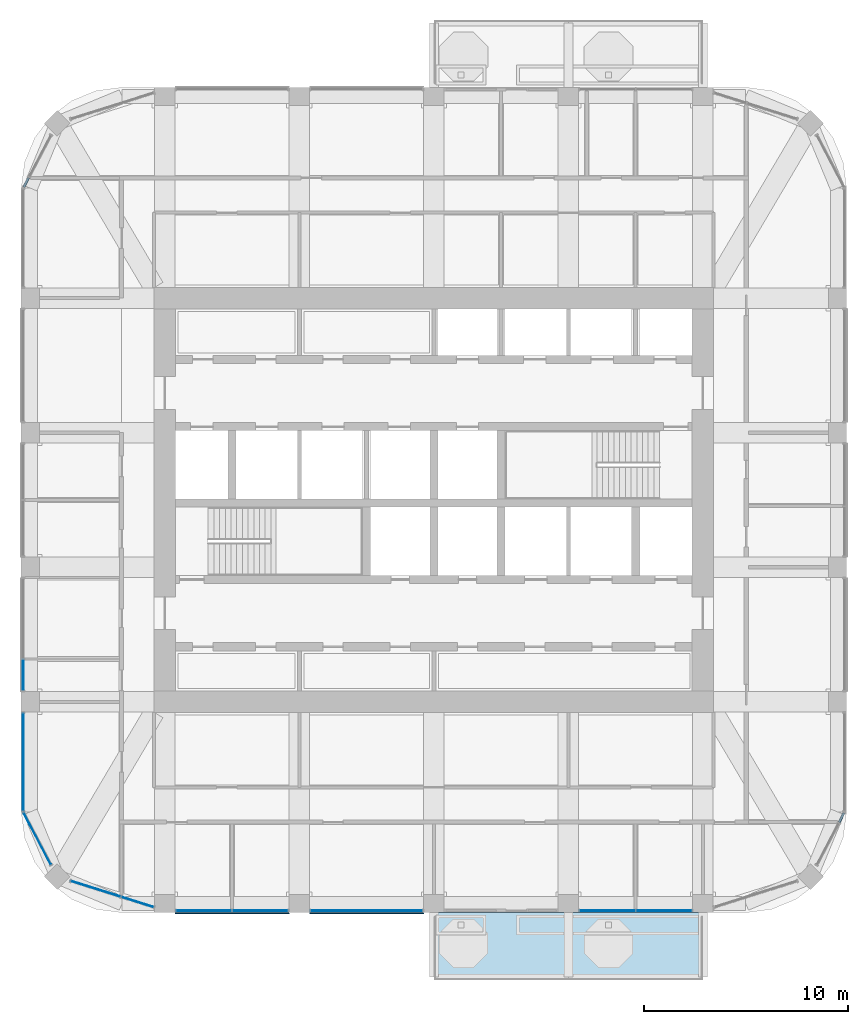
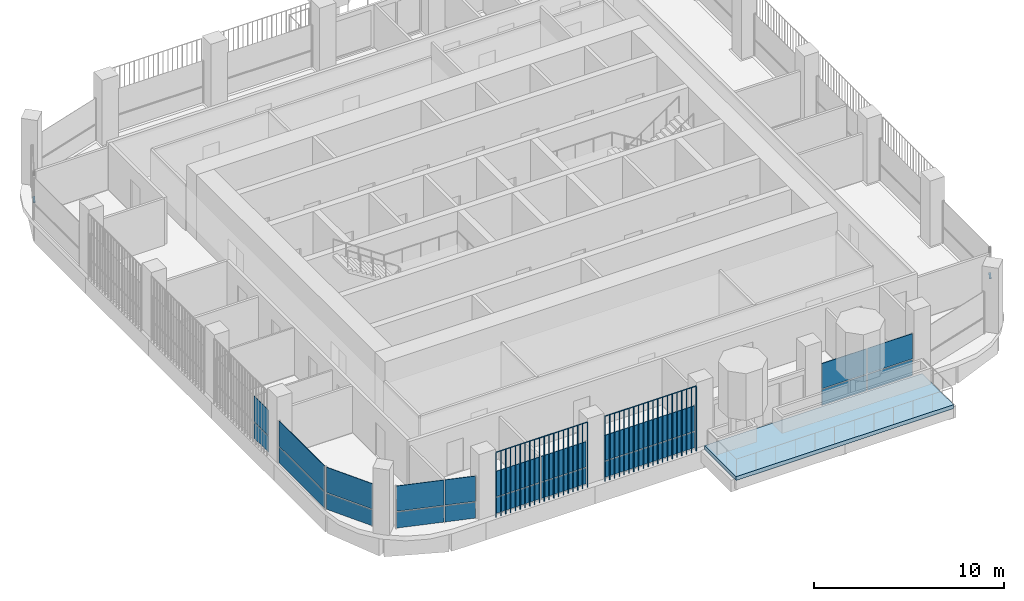
# One storey, part 8 of 21: 22 plates, 2 members, 1 slab, 9 elements without a shape of their own.
"""IFC4 building model written with IfcOpenShell, lengths in metres."""

from ifc_helpers import new_model, si_unit, direction, frame, origin, origin_2d, place, context, subcontext, project, spatial, polyline, rectangle, outline, extrude, material, layer, layer_set, material_profile, profile_set, type_object, element, aggregate, save


model = new_model("IFC4")

# Units and contexts
model_context = context("Model", 3, precision=1e-05, world=origin(), true_north=direction((0.0, 1.0)))
body_context = subcontext(model_context, "Body", "Model", "MODEL_VIEW")
ifc_project = project(units=[si_unit("LENGTHUNIT", "METRE"), si_unit("AREAUNIT", "SQUARE_METRE"), si_unit("VOLUMEUNIT", "CUBIC_METRE"), si_unit("PLANEANGLEUNIT", "RADIAN"), si_unit("MASSUNIT", "GRAM", prefix="KILO")], contexts=[model_context])

# Site, building, storey
site_placement = place(None, origin())
site = spatial("IfcSite", under=ifc_project, at=site_placement, CompositionType="ELEMENT")
building_placement = place(site_placement, origin())
building = spatial("IfcBuilding", under=site, at=building_placement, Name="Cobogo Forest Laboratory Tower", CompositionType="ELEMENT")
storey_placement = place(building_placement, frame((0.0, 0.0, 283.800048828125)))
storey = spatial("IfcBuildingStorey", under=building, at=storey_placement, Name="L65", CompositionType="ELEMENT", Elevation=283.800048828125)

# Curtain wall, member
ifc_material_1 = material(Name="Aluminium curtain wall", Category="aluminium")
curtain_wall_type = type_object("IfcCurtainWallType", Name="CW-2 unitised curtain wall, solar control glazing, laboratory floors zones C and D", PredefinedType="USERDEFINED", material=ifc_material_1)
curtain_wall_1_placement = place(storey_placement, origin())
curtain_wall_1 = element("IfcCurtainWall", 1, at=curtain_wall_1_placement, inside=storey, type_object=curtain_wall_type, Name="Curtain wall 06 L65", ObjectType="UNITISED CURTAIN WALL", PredefinedType="USERDEFINED")
ifc_material_2 = material(Name="Aluminium transom", Category="aluminium")
ifc_material_profile = material_profile(ifc_material_2, rectangle(XDim=0.1201171875, YDim=0.06005859375, at=origin_2d()), Name="AL 60x120")
ifc_profile_set = profile_set([ifc_material_profile], Name="Aluminium transom")
member_type = type_object("IfcMemberType", Name="TR-1 aluminium transom 60x120", PredefinedType="USERDEFINED", material=ifc_profile_set)
member_1_placement = place(storey_placement, frame((46.282470703125, 7.289306640625, 1.050048828125), z_axis=(0.46414828098, 0.885757513806, 0.0), x_axis=(-0.885757513806, 0.46414828098, 0.0)))
member_1 = element("IfcMember", 2, at=member_1_placement, type_object=member_type, Name="CW-2 transom 2.1", ObjectType="TRANSOM", PredefinedType="USERDEFINED", context=body_context, shape_type="SweptSolid", body=[
    extrude(rectangle(XDim=0.1201171875, YDim=0.06005859375, at=origin_2d()), origin(), (0.0, 0.0, 1.0), 0.5166015625),
])
aggregate(curtain_wall_1, [member_1])

curtain_wall_2_placement = place(storey_placement, origin())
curtain_wall_2 = element("IfcCurtainWall", 3, at=curtain_wall_2_placement, inside=storey, type_object=curtain_wall_type, Name="Curtain wall 19 L65", ObjectType="UNITISED CURTAIN WALL", PredefinedType="USERDEFINED")
member_2_placement = place(storey_placement, frame((6.517578125, 38.91064453125, 1.050048828125), z_axis=(-0.46414828098, -0.885757513806, 0.0), x_axis=(0.885757513806, -0.46414828098, 0.0)))
member_2 = element("IfcMember", 4, at=member_2_placement, type_object=member_type, Name="CW-2 transom 2.1", ObjectType="TRANSOM", PredefinedType="USERDEFINED", context=body_context, shape_type="SweptSolid", body=[
    extrude(rectangle(XDim=0.1201171875, YDim=0.06005859375, at=origin_2d()), origin(), (0.0, 0.0, 1.0), 0.5166015625),
])
aggregate(curtain_wall_2, [member_2])

# Slab
ifc_material_3 = material(Name="Concrete HA-40 (C40/50)", Category="concrete")
ifc_layer_1 = layer(ifc_material_3, 0.25)
ifc_layer_set_1 = layer_set([ifc_layer_1], Name="Balcony slab 250")
slab_type = type_object("IfcSlabType", Name="Balcony slab 250", PredefinedType="FLOOR", material=ifc_layer_set_1)
slab_placement = place(storey_placement, frame((0.0, 0.0, -0.25)))
element("IfcSlab", 5, at=slab_placement, inside=storey, type_object=slab_type, Name="Balcony BAL-S1 L65", PredefinedType="FLOOR", context=body_context, shape_type="SweptSolid", body=[
    extrude(outline(polyline([(26.39990234375, -0.449951171875), (39.60009765625, -0.449951171875), (39.60009765625, 2.85009765625), (26.39990234375, 2.85009765625), (26.39990234375, -0.449951171875)])), origin(), (0.0, 0.0, 1.0), 0.25),
])

# Curtain wall, plates
curtain_wall_3_placement = place(storey_placement, origin())
curtain_wall_3 = element("IfcCurtainWall", 6, at=curtain_wall_3_placement, inside=storey, type_object=curtain_wall_type, Name="Curtain wall 01 L65", ObjectType="UNITISED CURTAIN WALL", PredefinedType="USERDEFINED")
ifc_material_4 = material(Name="Solar control insulated glass", Category="glass")
ifc_layer_2 = layer(ifc_material_4, 0.031982421875)
ifc_layer_set_2 = layer_set([ifc_layer_2], Name="GP-2 solar control glass unit 32")
plate_type_1 = type_object("IfcPlateType", Name="GP-2 solar control glass unit 32", PredefinedType="CURTAIN_PANEL", material=ifc_layer_set_2)
plate_1_placement = place(storey_placement, frame((15.114990234375, 2.949951171875, 0.0), z_axis=(0.0, 0.0, 1.0), x_axis=(1.0, 0.0, 0.0)))
plate_1 = element("IfcPlate", 7, at=plate_1_placement, type_object=plate_type_1, Name="CW-2 panel 1.1", PredefinedType="CURTAIN_PANEL", context=body_context, shape_type="SweptSolid", body=[
    extrude(rectangle(XDim=2.7099609375, YDim=0.031982421875, at=origin_2d()), origin(), (0.0, 0.0, 1.0), 1.02001953125),
])
plate_2_placement = place(storey_placement, frame((15.114990234375, 2.949951171875, 1.079833984375), z_axis=(0.0, 0.0, 1.0), x_axis=(1.0, 0.0, 0.0)))
plate_2 = element("IfcPlate", 8, at=plate_2_placement, type_object=plate_type_1, Name="CW-2 panel 1.2", PredefinedType="CURTAIN_PANEL", context=body_context, shape_type="SweptSolid", body=[
    extrude(rectangle(XDim=2.7099609375, YDim=0.031982421875, at=origin_2d()), origin(), (0.0, 0.0, 1.0), 1.6201171875),
])
plate_3_placement = place(storey_placement, frame((17.885009765625, 2.949951171875, 0.0), z_axis=(0.0, 0.0, 1.0), x_axis=(1.0, 0.0, 0.0)))
plate_3 = element("IfcPlate", 9, at=plate_3_placement, type_object=plate_type_1, Name="CW-2 panel 2.1", PredefinedType="CURTAIN_PANEL", context=body_context, shape_type="SweptSolid", body=[
    extrude(rectangle(XDim=2.7099609375, YDim=0.031982421875, at=origin_2d()), origin(), (0.0, 0.0, 1.0), 1.02001953125),
])
plate_4_placement = place(storey_placement, frame((17.885009765625, 2.949951171875, 1.079833984375), z_axis=(0.0, 0.0, 1.0), x_axis=(1.0, 0.0, 0.0)))
plate_4 = element("IfcPlate", 10, at=plate_4_placement, type_object=plate_type_1, Name="CW-2 panel 2.2", PredefinedType="CURTAIN_PANEL", context=body_context, shape_type="SweptSolid", body=[
    extrude(rectangle(XDim=2.7099609375, YDim=0.031982421875, at=origin_2d()), origin(), (0.0, 0.0, 1.0), 1.6201171875),
])
aggregate(curtain_wall_3, [plate_1, plate_2, plate_3, plate_4])

curtain_wall_4_placement = place(storey_placement, origin())
curtain_wall_4 = element("IfcCurtainWall", 11, at=curtain_wall_4_placement, inside=storey, type_object=curtain_wall_type, Name="Curtain wall 02 L65", ObjectType="UNITISED CURTAIN WALL", PredefinedType="USERDEFINED")
plate_5_placement = place(storey_placement, frame((23.10009765625, 2.949951171875, 0.0), z_axis=(0.0, 0.0, 1.0), x_axis=(1.0, 0.0, 0.0)))
plate_5 = element("IfcPlate", 12, at=plate_5_placement, type_object=plate_type_1, Name="CW-2 panel 1.1", PredefinedType="CURTAIN_PANEL", context=body_context, shape_type="SweptSolid", body=[
    extrude(rectangle(XDim=5.47998046875, YDim=0.031982421875, at=origin_2d()), origin(), (0.0, 0.0, 1.0), 1.02001953125),
])
plate_6_placement = place(storey_placement, frame((23.10009765625, 2.949951171875, 1.079833984375), z_axis=(0.0, 0.0, 1.0), x_axis=(1.0, 0.0, 0.0)))
plate_6 = element("IfcPlate", 13, at=plate_6_placement, type_object=plate_type_1, Name="CW-2 panel 1.2", PredefinedType="CURTAIN_PANEL", context=body_context, shape_type="SweptSolid", body=[
    extrude(rectangle(XDim=5.47998046875, YDim=0.031982421875, at=origin_2d()), origin(), (0.0, 0.0, 1.0), 1.6201171875),
])
aggregate(curtain_wall_4, [plate_5, plate_6])

curtain_wall_5_placement = place(storey_placement, origin())
curtain_wall_5 = element("IfcCurtainWall", 14, at=curtain_wall_5_placement, inside=storey, type_object=curtain_wall_type, Name="Curtain wall 04 L65", ObjectType="UNITISED CURTAIN WALL", PredefinedType="USERDEFINED")
plate_7_placement = place(storey_placement, frame((34.9150390625, 2.949951171875, 0.0), z_axis=(0.0, 0.0, 1.0), x_axis=(1.0, 0.0, 0.0)))
plate_7 = element("IfcPlate", 15, at=plate_7_placement, type_object=plate_type_1, Name="CW-2 panel 1.1", PredefinedType="CURTAIN_PANEL", context=body_context, shape_type="SweptSolid", body=[
    extrude(rectangle(XDim=2.7099609375, YDim=0.031982421875, at=origin_2d()), origin(), (0.0, 0.0, 1.0), 1.02001953125),
])
plate_8_placement = place(storey_placement, frame((34.9150390625, 2.949951171875, 1.079833984375), z_axis=(0.0, 0.0, 1.0), x_axis=(1.0, 0.0, 0.0)))
plate_8 = element("IfcPlate", 16, at=plate_8_placement, type_object=plate_type_1, Name="CW-2 panel 1.2", PredefinedType="CURTAIN_PANEL", context=body_context, shape_type="SweptSolid", body=[
    extrude(rectangle(XDim=2.7099609375, YDim=0.031982421875, at=origin_2d()), origin(), (0.0, 0.0, 1.0), 1.6201171875),
])
plate_9_placement = place(storey_placement, frame((37.68505859375, 2.949951171875, 0.0), z_axis=(0.0, 0.0, 1.0), x_axis=(1.0, 0.0, 0.0)))
plate_9 = element("IfcPlate", 17, at=plate_9_placement, type_object=plate_type_1, Name="CW-2 panel 2.1", PredefinedType="CURTAIN_PANEL", context=body_context, shape_type="SweptSolid", body=[
    extrude(rectangle(XDim=2.7099609375, YDim=0.031982421875, at=origin_2d()), origin(), (0.0, 0.0, 1.0), 1.02001953125),
])
plate_10_placement = place(storey_placement, frame((37.68505859375, 2.949951171875, 1.079833984375), z_axis=(0.0, 0.0, 1.0), x_axis=(1.0, 0.0, 0.0)))
plate_10 = element("IfcPlate", 18, at=plate_10_placement, type_object=plate_type_1, Name="CW-2 panel 2.2", PredefinedType="CURTAIN_PANEL", context=body_context, shape_type="SweptSolid", body=[
    extrude(rectangle(XDim=2.7099609375, YDim=0.031982421875, at=origin_2d()), origin(), (0.0, 0.0, 1.0), 1.6201171875),
])
aggregate(curtain_wall_5, [plate_7, plate_8, plate_9, plate_10])

curtain_wall_6_placement = place(storey_placement, origin())
curtain_wall_6 = element("IfcCurtainWall", 19, at=curtain_wall_6_placement, inside=storey, type_object=curtain_wall_type, Name="Curtain wall 23 L65", ObjectType="UNITISED CURTAIN WALL", PredefinedType="USERDEFINED")
plate_11_placement = place(storey_placement, frame((6.25, 14.514892578125, 0.0), z_axis=(0.0, 0.0, 1.0), x_axis=(0.0, -1.0, 0.0)))
plate_11 = element("IfcPlate", 20, at=plate_11_placement, type_object=plate_type_1, Name="CW-2 panel 2.1", PredefinedType="CURTAIN_PANEL", context=body_context, shape_type="SweptSolid", body=[
    extrude(rectangle(XDim=1.510009765625, YDim=0.031982421875, at=origin_2d()), origin(), (0.0, 0.0, 1.0), 1.02001953125),
])
plate_12_placement = place(storey_placement, frame((6.25, 14.514892578125, 1.079833984375), z_axis=(0.0, 0.0, 1.0), x_axis=(0.0, -1.0, 0.0)))
plate_12 = element("IfcPlate", 21, at=plate_12_placement, type_object=plate_type_1, Name="CW-2 panel 2.2", PredefinedType="CURTAIN_PANEL", context=body_context, shape_type="SweptSolid", body=[
    extrude(rectangle(XDim=1.510009765625, YDim=0.031982421875, at=origin_2d()), origin(), (0.0, 0.0, 1.0), 1.6201171875),
])
aggregate(curtain_wall_6, [plate_11, plate_12])

curtain_wall_7_placement = place(storey_placement, origin())
curtain_wall_7 = element("IfcCurtainWall", 22, at=curtain_wall_7_placement, inside=storey, type_object=curtain_wall_type, Name="Curtain wall 24 L65", ObjectType="UNITISED CURTAIN WALL", PredefinedType="USERDEFINED")
plate_13_placement = place(storey_placement, frame((6.25, 10.25, 0.0), z_axis=(0.0, 0.0, 1.0), x_axis=(0.0, -1.0, 0.0)))
plate_13 = element("IfcPlate", 23, at=plate_13_placement, type_object=plate_type_1, Name="CW-2 panel 1.1", PredefinedType="CURTAIN_PANEL", context=body_context, shape_type="SweptSolid", body=[
    extrude(rectangle(XDim=4.780029296875, YDim=0.031982421875, at=origin_2d()), origin(), (0.0, 0.0, 1.0), 1.02001953125),
])
plate_14_placement = place(storey_placement, frame((6.25, 10.25, 1.079833984375), z_axis=(0.0, 0.0, 1.0), x_axis=(0.0, -1.0, 0.0)))
plate_14 = element("IfcPlate", 24, at=plate_14_placement, type_object=plate_type_1, Name="CW-2 panel 1.2", PredefinedType="CURTAIN_PANEL", context=body_context, shape_type="SweptSolid", body=[
    extrude(rectangle(XDim=4.780029296875, YDim=0.031982421875, at=origin_2d()), origin(), (0.0, 0.0, 1.0), 1.6201171875),
])
aggregate(curtain_wall_7, [plate_13, plate_14])

curtain_wall_8_placement = place(storey_placement, origin())
curtain_wall_8 = element("IfcCurtainWall", 25, at=curtain_wall_8_placement, inside=storey, type_object=curtain_wall_type, Name="Curtain wall 25 L65", ObjectType="UNITISED CURTAIN WALL", PredefinedType="USERDEFINED")
plate_15_placement = place(storey_placement, frame((6.94287109375, 6.47802734375, 0.0), z_axis=(0.0, 0.0, 1.0), x_axis=(0.464283778337, -0.885686498245, 0.0)))
plate_15 = element("IfcPlate", 26, at=plate_15_placement, type_object=plate_type_1, Name="CW-2 panel 1.1", PredefinedType="CURTAIN_PANEL", context=body_context, shape_type="SweptSolid", body=[
    extrude(rectangle(XDim=2.864990234375, YDim=0.031982421875, at=origin_2d()), origin(), (0.0, 0.0, 1.0), 1.02001953125),
])
plate_16_placement = place(storey_placement, frame((6.94287109375, 6.47802734375, 1.079833984375), z_axis=(0.0, 0.0, 1.0), x_axis=(0.464283778337, -0.885686498245, 0.0)))
plate_16 = element("IfcPlate", 27, at=plate_16_placement, type_object=plate_type_1, Name="CW-2 panel 1.2", PredefinedType="CURTAIN_PANEL", context=body_context, shape_type="SweptSolid", body=[
    extrude(rectangle(XDim=2.864990234375, YDim=0.031982421875, at=origin_2d()), origin(), (0.0, 0.0, 1.0), 1.6201171875),
])
aggregate(curtain_wall_8, [plate_15, plate_16])

curtain_wall_9_placement = place(storey_placement, origin())
curtain_wall_9 = element("IfcCurtainWall", 28, at=curtain_wall_9_placement, inside=storey, type_object=curtain_wall_type, Name="Curtain wall 26 L65", ObjectType="UNITISED CURTAIN WALL", PredefinedType="USERDEFINED")
plate_17_placement = place(storey_placement, frame((9.810546875, 4.0205078125, 0.0), z_axis=(0.0, 0.0, 1.0), x_axis=(0.953581379409, -0.301135439371, 0.0)))
plate_17 = element("IfcPlate", 29, at=plate_17_placement, type_object=plate_type_1, Name="CW-2 panel 1.1", PredefinedType="CURTAIN_PANEL", context=body_context, shape_type="SweptSolid", body=[
    extrude(rectangle(XDim=2.541748046875, YDim=0.031982421875, at=origin_2d()), origin(), (0.0, 0.0, 1.0), 1.02001953125),
])
plate_18_placement = place(storey_placement, frame((9.810546875, 4.0205078125, 1.079833984375), z_axis=(0.0, 0.0, 1.0), x_axis=(0.953581379409, -0.301135439371, 0.0)))
plate_18 = element("IfcPlate", 30, at=plate_18_placement, type_object=plate_type_1, Name="CW-2 panel 1.2", PredefinedType="CURTAIN_PANEL", context=body_context, shape_type="SweptSolid", body=[
    extrude(rectangle(XDim=2.541748046875, YDim=0.031982421875, at=origin_2d()), origin(), (0.0, 0.0, 1.0), 1.6201171875),
])
plate_19_placement = place(storey_placement, frame((11.861083984375, 3.372802734375, 0.0), z_axis=(0.0, 0.0, 1.0), x_axis=(0.953581379409, -0.301135439371, 0.0)))
plate_19 = element("IfcPlate", 31, at=plate_19_placement, type_object=plate_type_1, Name="CW-2 panel 2.1", PredefinedType="CURTAIN_PANEL", context=body_context, shape_type="SweptSolid", body=[
    extrude(rectangle(XDim=1.639404296875, YDim=0.031982421875, at=origin_2d()), origin(), (0.0, 0.0, 1.0), 1.02001953125),
])
plate_20_placement = place(storey_placement, frame((11.861083984375, 3.372802734375, 1.079833984375), z_axis=(0.0, 0.0, 1.0), x_axis=(0.953581379409, -0.301135439371, 0.0)))
plate_20 = element("IfcPlate", 32, at=plate_20_placement, type_object=plate_type_1, Name="CW-2 panel 2.2", PredefinedType="CURTAIN_PANEL", context=body_context, shape_type="SweptSolid", body=[
    extrude(rectangle(XDim=1.639404296875, YDim=0.031982421875, at=origin_2d()), origin(), (0.0, 0.0, 1.0), 1.6201171875),
])
aggregate(curtain_wall_9, [plate_17, plate_18, plate_19, plate_20])

# Plates
ifc_material_5 = material(Name="Terracotta", Category="masonry")
plate_type_2 = type_object("IfcPlateType", Name="TB1 terracotta baguette screen", PredefinedType="USERDEFINED", material=ifc_material_5)
plate_21_placement = place(storey_placement, frame((13.731201171875, 2.822021484375, -0.150146484375)))
element("IfcPlate", 33, at=plate_21_placement, inside=storey, type_object=plate_type_2, Name="Baguette screen S1 L65", ObjectType="BAGUETTE SCREEN", PredefinedType="USERDEFINED", context=body_context, shape_type="SweptSolid", body=[
    extrude(outline(polyline([(0.02880859375, 0.011962890625), (0.011962890625, 0.02880859375), (-0.011962890625, 0.02880859375), (-0.02880859375, 0.011962890625), (-0.02880859375, -0.011962890625), (-0.011962890625, -0.02880859375), (0.011962890625, -0.02880859375), (0.02880859375, -0.011962890625), (0.02880859375, 0.011962890625)])), frame((0.0, 0.0, 4.168701171875), z_axis=(1.0, 0.0, 0.0), x_axis=(0.0, 1.0, 0.0)), (0.0, 0.0, 1.0), 5.53759765625),
    extrude(outline(polyline([(0.02880859375, 0.011962890625), (0.011962890625, 0.02880859375), (-0.011962890625, 0.02880859375), (-0.02880859375, 0.011962890625), (-0.02880859375, -0.011962890625), (-0.011962890625, -0.02880859375), (0.011962890625, -0.02880859375), (0.02880859375, -0.011962890625), (0.02880859375, 0.011962890625)])), origin(), (0.0, 0.0, 1.0), 4.137451171875),
    extrude(outline(polyline([(0.02880859375, 0.011962890625), (0.011962890625, 0.02880859375), (-0.011962890625, 0.02880859375), (-0.02880859375, 0.011962890625), (-0.02880859375, -0.011962890625), (-0.011962890625, -0.02880859375), (0.011962890625, -0.02880859375), (0.02880859375, -0.011962890625), (0.02880859375, 0.011962890625)])), frame((0.29150390625, 0.0, 0.0)), (0.0, 0.0, 1.0), 4.137451171875),
    extrude(outline(polyline([(0.02880859375, 0.011962890625), (0.011962890625, 0.02880859375), (-0.011962890625, 0.02880859375), (-0.02880859375, 0.011962890625), (-0.02880859375, -0.011962890625), (-0.011962890625, -0.02880859375), (0.011962890625, -0.02880859375), (0.02880859375, -0.011962890625), (0.02880859375, 0.011962890625)])), frame((0.5830078125, 0.0, 0.0)), (0.0, 0.0, 1.0), 4.137451171875),
    extrude(outline(polyline([(0.02880859375, 0.011962890625), (0.011962890625, 0.02880859375), (-0.011962890625, 0.02880859375), (-0.02880859375, 0.011962890625), (-0.02880859375, -0.011962890625), (-0.011962890625, -0.02880859375), (0.011962890625, -0.02880859375), (0.02880859375, -0.011962890625), (0.02880859375, 0.011962890625)])), frame((0.874267578125, 0.0, 0.0)), (0.0, 0.0, 1.0), 4.137451171875),
    extrude(outline(polyline([(0.02880859375, 0.011962890625), (0.011962890625, 0.02880859375), (-0.011962890625, 0.02880859375), (-0.02880859375, 0.011962890625), (-0.02880859375, -0.011962890625), (-0.011962890625, -0.02880859375), (0.011962890625, -0.02880859375), (0.02880859375, -0.011962890625), (0.02880859375, 0.011962890625)])), frame((1.165771484375, 0.0, 0.0)), (0.0, 0.0, 1.0), 4.137451171875),
    extrude(outline(polyline([(0.02880859375, 0.011962890625), (0.011962890625, 0.02880859375), (-0.011962890625, 0.02880859375), (-0.02880859375, 0.011962890625), (-0.02880859375, -0.011962890625), (-0.011962890625, -0.02880859375), (0.011962890625, -0.02880859375), (0.02880859375, -0.011962890625), (0.02880859375, 0.011962890625)])), frame((1.457275390625, 0.0, 0.0)), (0.0, 0.0, 1.0), 4.137451171875),
    extrude(outline(polyline([(0.02880859375, 0.011962890625), (0.011962890625, 0.02880859375), (-0.011962890625, 0.02880859375), (-0.02880859375, 0.011962890625), (-0.02880859375, -0.011962890625), (-0.011962890625, -0.02880859375), (0.011962890625, -0.02880859375), (0.02880859375, -0.011962890625), (0.02880859375, 0.011962890625)])), frame((1.748779296875, 0.0, 0.0)), (0.0, 0.0, 1.0), 4.137451171875),
    extrude(outline(polyline([(0.02880859375, 0.011962890625), (0.011962890625, 0.02880859375), (-0.011962890625, 0.02880859375), (-0.02880859375, 0.011962890625), (-0.02880859375, -0.011962890625), (-0.011962890625, -0.02880859375), (0.011962890625, -0.02880859375), (0.02880859375, -0.011962890625), (0.02880859375, 0.011962890625)])), frame((2.040283203125, 0.0, 0.0)), (0.0, 0.0, 1.0), 4.137451171875),
    extrude(outline(polyline([(0.02880859375, 0.011962890625), (0.011962890625, 0.02880859375), (-0.011962890625, 0.02880859375), (-0.02880859375, 0.011962890625), (-0.02880859375, -0.011962890625), (-0.011962890625, -0.02880859375), (0.011962890625, -0.02880859375), (0.02880859375, -0.011962890625), (0.02880859375, 0.011962890625)])), frame((2.33154296875, 0.0, 0.0)), (0.0, 0.0, 1.0), 4.137451171875),
    extrude(outline(polyline([(0.02880859375, 0.011962890625), (0.011962890625, 0.02880859375), (-0.011962890625, 0.02880859375), (-0.02880859375, 0.011962890625), (-0.02880859375, -0.011962890625), (-0.011962890625, -0.02880859375), (0.011962890625, -0.02880859375), (0.02880859375, -0.011962890625), (0.02880859375, 0.011962890625)])), frame((2.623046875, 0.0, 0.0)), (0.0, 0.0, 1.0), 4.137451171875),
    extrude(outline(polyline([(0.02880859375, 0.011962890625), (0.011962890625, 0.02880859375), (-0.011962890625, 0.02880859375), (-0.02880859375, 0.011962890625), (-0.02880859375, -0.011962890625), (-0.011962890625, -0.02880859375), (0.011962890625, -0.02880859375), (0.02880859375, -0.011962890625), (0.02880859375, 0.011962890625)])), frame((2.91455078125, 0.0, 0.0)), (0.0, 0.0, 1.0), 4.137451171875),
    extrude(outline(polyline([(0.02880859375, 0.011962890625), (0.011962890625, 0.02880859375), (-0.011962890625, 0.02880859375), (-0.02880859375, 0.011962890625), (-0.02880859375, -0.011962890625), (-0.011962890625, -0.02880859375), (0.011962890625, -0.02880859375), (0.02880859375, -0.011962890625), (0.02880859375, 0.011962890625)])), frame((3.2060546875, 0.0, 0.0)), (0.0, 0.0, 1.0), 4.137451171875),
    extrude(outline(polyline([(0.02880859375, 0.011962890625), (0.011962890625, 0.02880859375), (-0.011962890625, 0.02880859375), (-0.02880859375, 0.011962890625), (-0.02880859375, -0.011962890625), (-0.011962890625, -0.02880859375), (0.011962890625, -0.02880859375), (0.02880859375, -0.011962890625), (0.02880859375, 0.011962890625)])), frame((3.497314453125, 0.0, 0.0)), (0.0, 0.0, 1.0), 4.137451171875),
    extrude(outline(polyline([(0.02880859375, 0.011962890625), (0.011962890625, 0.02880859375), (-0.011962890625, 0.02880859375), (-0.02880859375, 0.011962890625), (-0.02880859375, -0.011962890625), (-0.011962890625, -0.02880859375), (0.011962890625, -0.02880859375), (0.02880859375, -0.011962890625), (0.02880859375, 0.011962890625)])), frame((3.788818359375, 0.0, 0.0)), (0.0, 0.0, 1.0), 4.137451171875),
    extrude(outline(polyline([(0.02880859375, 0.011962890625), (0.011962890625, 0.02880859375), (-0.011962890625, 0.02880859375), (-0.02880859375, 0.011962890625), (-0.02880859375, -0.011962890625), (-0.011962890625, -0.02880859375), (0.011962890625, -0.02880859375), (0.02880859375, -0.011962890625), (0.02880859375, 0.011962890625)])), frame((4.080322265625, 0.0, 0.0)), (0.0, 0.0, 1.0), 4.137451171875),
    extrude(outline(polyline([(0.02880859375, 0.011962890625), (0.011962890625, 0.02880859375), (-0.011962890625, 0.02880859375), (-0.02880859375, 0.011962890625), (-0.02880859375, -0.011962890625), (-0.011962890625, -0.02880859375), (0.011962890625, -0.02880859375), (0.02880859375, -0.011962890625), (0.02880859375, 0.011962890625)])), frame((4.371826171875, 0.0, 0.0)), (0.0, 0.0, 1.0), 4.137451171875),
    extrude(outline(polyline([(0.02880859375, 0.011962890625), (0.011962890625, 0.02880859375), (-0.011962890625, 0.02880859375), (-0.02880859375, 0.011962890625), (-0.02880859375, -0.011962890625), (-0.011962890625, -0.02880859375), (0.011962890625, -0.02880859375), (0.02880859375, -0.011962890625), (0.02880859375, 0.011962890625)])), frame((4.663330078125, 0.0, 0.0)), (0.0, 0.0, 1.0), 4.137451171875),
    extrude(outline(polyline([(0.02880859375, 0.011962890625), (0.011962890625, 0.02880859375), (-0.011962890625, 0.02880859375), (-0.02880859375, 0.011962890625), (-0.02880859375, -0.011962890625), (-0.011962890625, -0.02880859375), (0.011962890625, -0.02880859375), (0.02880859375, -0.011962890625), (0.02880859375, 0.011962890625)])), frame((4.95458984375, 0.0, 0.0)), (0.0, 0.0, 1.0), 4.137451171875),
    extrude(outline(polyline([(0.02880859375, 0.011962890625), (0.011962890625, 0.02880859375), (-0.011962890625, 0.02880859375), (-0.02880859375, 0.011962890625), (-0.02880859375, -0.011962890625), (-0.011962890625, -0.02880859375), (0.011962890625, -0.02880859375), (0.02880859375, -0.011962890625), (0.02880859375, 0.011962890625)])), frame((5.24609375, 0.0, 0.0)), (0.0, 0.0, 1.0), 4.137451171875),
    extrude(outline(polyline([(0.02880859375, 0.011962890625), (0.011962890625, 0.02880859375), (-0.011962890625, 0.02880859375), (-0.02880859375, 0.011962890625), (-0.02880859375, -0.011962890625), (-0.011962890625, -0.02880859375), (0.011962890625, -0.02880859375), (0.02880859375, -0.011962890625), (0.02880859375, 0.011962890625)])), frame((5.53759765625, 0.0, 0.0)), (0.0, 0.0, 1.0), 4.137451171875),
])
plate_22_placement = place(storey_placement, frame((20.331298828125, 2.822021484375, -0.150146484375)))
element("IfcPlate", 34, at=plate_22_placement, inside=storey, type_object=plate_type_2, Name="Baguette screen S2 L65", ObjectType="BAGUETTE SCREEN", PredefinedType="USERDEFINED", context=body_context, shape_type="SweptSolid", body=[
    extrude(outline(polyline([(0.02880859375, 0.011962890625), (0.011962890625, 0.02880859375), (-0.011962890625, 0.02880859375), (-0.02880859375, 0.011962890625), (-0.02880859375, -0.011962890625), (-0.011962890625, -0.02880859375), (0.011962890625, -0.02880859375), (0.02880859375, -0.011962890625), (0.02880859375, 0.011962890625)])), frame((0.0, 0.0, 4.168701171875), z_axis=(1.0, 0.0, 0.0), x_axis=(0.0, 1.0, 0.0)), (0.0, 0.0, 1.0), 5.537353515625),
    extrude(outline(polyline([(0.02880859375, 0.011962890625), (0.011962890625, 0.02880859375), (-0.011962890625, 0.02880859375), (-0.02880859375, 0.011962890625), (-0.02880859375, -0.011962890625), (-0.011962890625, -0.02880859375), (0.011962890625, -0.02880859375), (0.02880859375, -0.011962890625), (0.02880859375, 0.011962890625)])), origin(), (0.0, 0.0, 1.0), 4.137451171875),
    extrude(outline(polyline([(0.02880859375, 0.011962890625), (0.011962890625, 0.02880859375), (-0.011962890625, 0.02880859375), (-0.02880859375, 0.011962890625), (-0.02880859375, -0.011962890625), (-0.011962890625, -0.02880859375), (0.011962890625, -0.02880859375), (0.02880859375, -0.011962890625), (0.02880859375, 0.011962890625)])), frame((0.29150390625, 0.0, 0.0)), (0.0, 0.0, 1.0), 4.137451171875),
    extrude(outline(polyline([(0.02880859375, 0.011962890625), (0.011962890625, 0.02880859375), (-0.011962890625, 0.02880859375), (-0.02880859375, 0.011962890625), (-0.02880859375, -0.011962890625), (-0.011962890625, -0.02880859375), (0.011962890625, -0.02880859375), (0.02880859375, -0.011962890625), (0.02880859375, 0.011962890625)])), frame((0.582763671875, 0.0, 0.0)), (0.0, 0.0, 1.0), 4.137451171875),
    extrude(outline(polyline([(0.02880859375, 0.011962890625), (0.011962890625, 0.02880859375), (-0.011962890625, 0.02880859375), (-0.02880859375, 0.011962890625), (-0.02880859375, -0.011962890625), (-0.011962890625, -0.02880859375), (0.011962890625, -0.02880859375), (0.02880859375, -0.011962890625), (0.02880859375, 0.011962890625)])), frame((0.874267578125, 0.0, 0.0)), (0.0, 0.0, 1.0), 4.137451171875),
    extrude(outline(polyline([(0.02880859375, 0.011962890625), (0.011962890625, 0.02880859375), (-0.011962890625, 0.02880859375), (-0.02880859375, 0.011962890625), (-0.02880859375, -0.011962890625), (-0.011962890625, -0.02880859375), (0.011962890625, -0.02880859375), (0.02880859375, -0.011962890625), (0.02880859375, 0.011962890625)])), frame((1.165771484375, 0.0, 0.0)), (0.0, 0.0, 1.0), 4.137451171875),
    extrude(outline(polyline([(0.02880859375, 0.011962890625), (0.011962890625, 0.02880859375), (-0.011962890625, 0.02880859375), (-0.02880859375, 0.011962890625), (-0.02880859375, -0.011962890625), (-0.011962890625, -0.02880859375), (0.011962890625, -0.02880859375), (0.02880859375, -0.011962890625), (0.02880859375, 0.011962890625)])), frame((1.457275390625, 0.0, 0.0)), (0.0, 0.0, 1.0), 4.137451171875),
    extrude(outline(polyline([(0.02880859375, 0.011962890625), (0.011962890625, 0.02880859375), (-0.011962890625, 0.02880859375), (-0.02880859375, 0.011962890625), (-0.02880859375, -0.011962890625), (-0.011962890625, -0.02880859375), (0.011962890625, -0.02880859375), (0.02880859375, -0.011962890625), (0.02880859375, 0.011962890625)])), frame((1.74853515625, 0.0, 0.0)), (0.0, 0.0, 1.0), 4.137451171875),
    extrude(outline(polyline([(0.02880859375, 0.011962890625), (0.011962890625, 0.02880859375), (-0.011962890625, 0.02880859375), (-0.02880859375, 0.011962890625), (-0.02880859375, -0.011962890625), (-0.011962890625, -0.02880859375), (0.011962890625, -0.02880859375), (0.02880859375, -0.011962890625), (0.02880859375, 0.011962890625)])), frame((2.0400390625, 0.0, 0.0)), (0.0, 0.0, 1.0), 4.137451171875),
    extrude(outline(polyline([(0.02880859375, 0.011962890625), (0.011962890625, 0.02880859375), (-0.011962890625, 0.02880859375), (-0.02880859375, 0.011962890625), (-0.02880859375, -0.011962890625), (-0.011962890625, -0.02880859375), (0.011962890625, -0.02880859375), (0.02880859375, -0.011962890625), (0.02880859375, 0.011962890625)])), frame((2.33154296875, 0.0, 0.0)), (0.0, 0.0, 1.0), 4.137451171875),
    extrude(outline(polyline([(0.02880859375, 0.011962890625), (0.011962890625, 0.02880859375), (-0.011962890625, 0.02880859375), (-0.02880859375, 0.011962890625), (-0.02880859375, -0.011962890625), (-0.011962890625, -0.02880859375), (0.011962890625, -0.02880859375), (0.02880859375, -0.011962890625), (0.02880859375, 0.011962890625)])), frame((2.623046875, 0.0, 0.0)), (0.0, 0.0, 1.0), 4.137451171875),
    extrude(outline(polyline([(0.02880859375, 0.011962890625), (0.011962890625, 0.02880859375), (-0.011962890625, 0.02880859375), (-0.02880859375, 0.011962890625), (-0.02880859375, -0.011962890625), (-0.011962890625, -0.02880859375), (0.011962890625, -0.02880859375), (0.02880859375, -0.011962890625), (0.02880859375, 0.011962890625)])), frame((2.914306640625, 0.0, 0.0)), (0.0, 0.0, 1.0), 4.137451171875),
    extrude(outline(polyline([(0.02880859375, 0.011962890625), (0.011962890625, 0.02880859375), (-0.011962890625, 0.02880859375), (-0.02880859375, 0.011962890625), (-0.02880859375, -0.011962890625), (-0.011962890625, -0.02880859375), (0.011962890625, -0.02880859375), (0.02880859375, -0.011962890625), (0.02880859375, 0.011962890625)])), frame((3.205810546875, 0.0, 0.0)), (0.0, 0.0, 1.0), 4.137451171875),
    extrude(outline(polyline([(0.02880859375, 0.011962890625), (0.011962890625, 0.02880859375), (-0.011962890625, 0.02880859375), (-0.02880859375, 0.011962890625), (-0.02880859375, -0.011962890625), (-0.011962890625, -0.02880859375), (0.011962890625, -0.02880859375), (0.02880859375, -0.011962890625), (0.02880859375, 0.011962890625)])), frame((3.497314453125, 0.0, 0.0)), (0.0, 0.0, 1.0), 4.137451171875),
    extrude(outline(polyline([(0.02880859375, 0.011962890625), (0.011962890625, 0.02880859375), (-0.011962890625, 0.02880859375), (-0.02880859375, 0.011962890625), (-0.02880859375, -0.011962890625), (-0.011962890625, -0.02880859375), (0.011962890625, -0.02880859375), (0.02880859375, -0.011962890625), (0.02880859375, 0.011962890625)])), frame((3.788818359375, 0.0, 0.0)), (0.0, 0.0, 1.0), 4.137451171875),
    extrude(outline(polyline([(0.02880859375, 0.011962890625), (0.011962890625, 0.02880859375), (-0.011962890625, 0.02880859375), (-0.02880859375, 0.011962890625), (-0.02880859375, -0.011962890625), (-0.011962890625, -0.02880859375), (0.011962890625, -0.02880859375), (0.02880859375, -0.011962890625), (0.02880859375, 0.011962890625)])), frame((4.080078125, 0.0, 0.0)), (0.0, 0.0, 1.0), 4.137451171875),
    extrude(outline(polyline([(0.02880859375, 0.011962890625), (0.011962890625, 0.02880859375), (-0.011962890625, 0.02880859375), (-0.02880859375, 0.011962890625), (-0.02880859375, -0.011962890625), (-0.011962890625, -0.02880859375), (0.011962890625, -0.02880859375), (0.02880859375, -0.011962890625), (0.02880859375, 0.011962890625)])), frame((4.37158203125, 0.0, 0.0)), (0.0, 0.0, 1.0), 4.137451171875),
    extrude(outline(polyline([(0.02880859375, 0.011962890625), (0.011962890625, 0.02880859375), (-0.011962890625, 0.02880859375), (-0.02880859375, 0.011962890625), (-0.02880859375, -0.011962890625), (-0.011962890625, -0.02880859375), (0.011962890625, -0.02880859375), (0.02880859375, -0.011962890625), (0.02880859375, 0.011962890625)])), frame((4.6630859375, 0.0, 0.0)), (0.0, 0.0, 1.0), 4.137451171875),
    extrude(outline(polyline([(0.02880859375, 0.011962890625), (0.011962890625, 0.02880859375), (-0.011962890625, 0.02880859375), (-0.02880859375, 0.011962890625), (-0.02880859375, -0.011962890625), (-0.011962890625, -0.02880859375), (0.011962890625, -0.02880859375), (0.02880859375, -0.011962890625), (0.02880859375, 0.011962890625)])), frame((4.95458984375, 0.0, 0.0)), (0.0, 0.0, 1.0), 4.137451171875),
    extrude(outline(polyline([(0.02880859375, 0.011962890625), (0.011962890625, 0.02880859375), (-0.011962890625, 0.02880859375), (-0.02880859375, 0.011962890625), (-0.02880859375, -0.011962890625), (-0.011962890625, -0.02880859375), (0.011962890625, -0.02880859375), (0.02880859375, -0.011962890625), (0.02880859375, 0.011962890625)])), frame((5.245849609375, 0.0, 0.0)), (0.0, 0.0, 1.0), 4.137451171875),
    extrude(outline(polyline([(0.02880859375, 0.011962890625), (0.011962890625, 0.02880859375), (-0.011962890625, 0.02880859375), (-0.02880859375, 0.011962890625), (-0.02880859375, -0.011962890625), (-0.011962890625, -0.02880859375), (0.011962890625, -0.02880859375), (0.02880859375, -0.011962890625), (0.02880859375, 0.011962890625)])), frame((5.537353515625, 0.0, 0.0)), (0.0, 0.0, 1.0), 4.137451171875),
])

save(model, "model.ifc")
